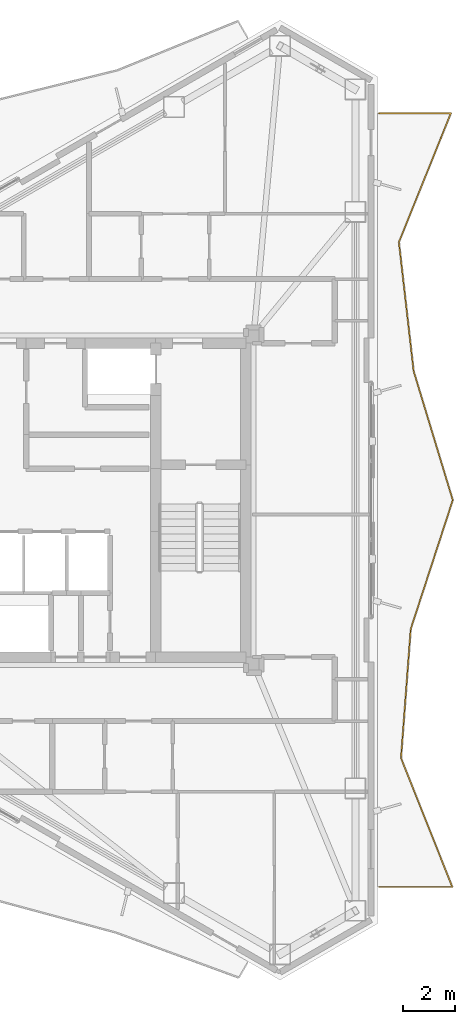
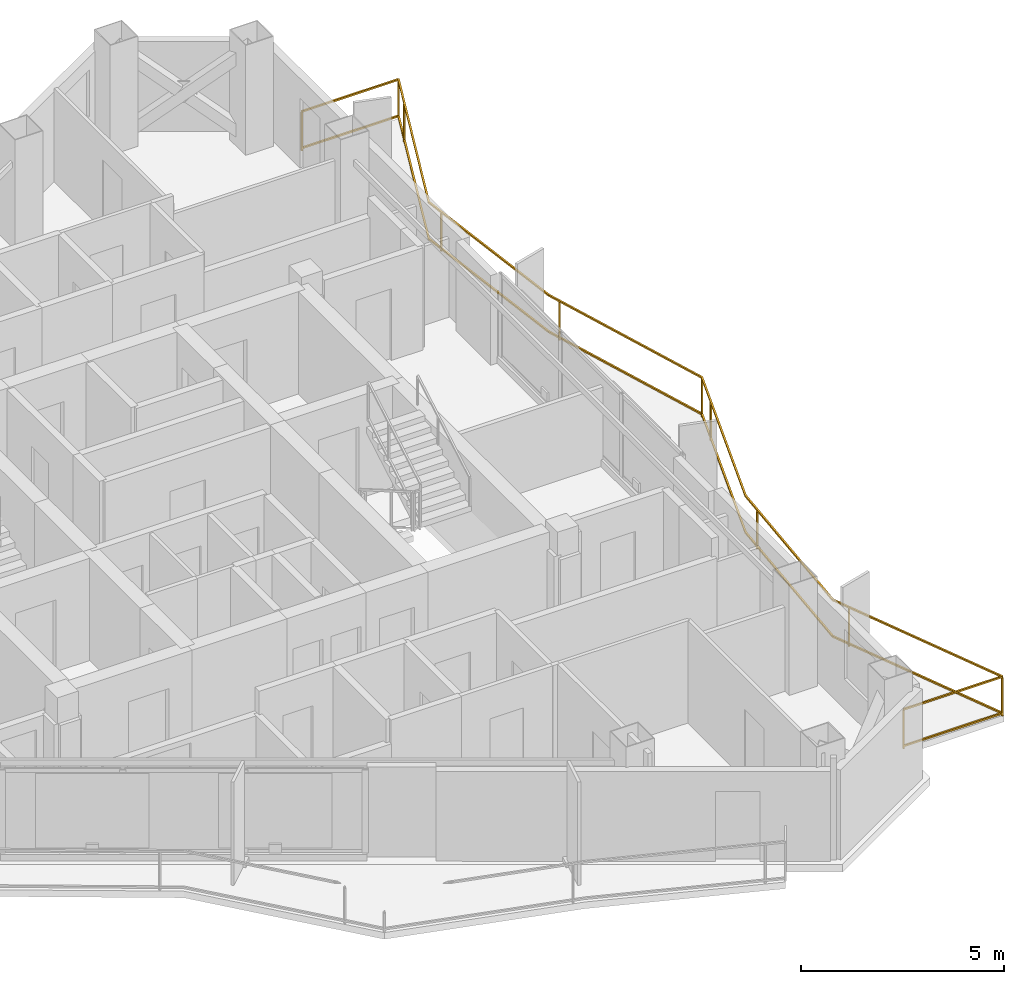
# One storey, part 22 of 22: 1 railing.
"""IFC4 building model written with IfcOpenShell, lengths in metres."""

import ifcopenshell
import ifcopenshell.guid

model = None  # the IFC model being written
_history = None  # IfcOwnerHistory: only IFC2X3 demands one
_inside = {}  # id of a spatial element -> (the spatial element, [elements in it])
_under = {}  # id of a project, library or spatial element -> (it, [spatial elements below it])
_declared = {}  # id of a project -> (the project, [libraries it declares])
_typed = {}  # id of a type object -> (the type object, [elements of that type])
_made_of = {}  # id of a material, layer set ... -> (it, [elements and type objects made of it])


def new_model(schema):
    """Start an empty IFC model of exactly this schema.

    Asked for "IFC4X3", IfcOpenShell would pick the latest addendum, in which some entities
    have other attributes; the version numbers below select the first issue.
    IFC2X3 requires an IfcOwnerHistory on every rooted entity: one is made here for all.
    """
    global model, _history
    if schema == "IFC4X3":
        model = ifcopenshell.file(schema_version=(4, 3, 0, 0))
    else:
        model = ifcopenshell.file(schema=schema)
    _inside.clear()
    _under.clear()
    _declared.clear()
    _typed.clear()
    _made_of.clear()
    _history = None
    if model.schema == "IFC2X3":
        org = make("IfcOrganization", Name="unknown")
        user = make(
            "IfcPersonAndOrganization",
            ThePerson=make("IfcPerson", FamilyName="unknown"),
            TheOrganization=org,
        )
        app = make(
            "IfcApplication",
            ApplicationDeveloper=org,
            Version="unknown",
            ApplicationFullName="unknown",
            ApplicationIdentifier="unknown",
        )
        _history = make(
            "IfcOwnerHistory",
            OwningUser=user,
            OwningApplication=app,
            ChangeAction="ADDED",
            CreationDate=0,
        )
    return model


def make(cls, **values):
    """One entity of the class cls with the attributes given. An attribute that is None is left unset."""
    return model.create_entity(
        cls, **{name: value for name, value in values.items() if value is not None}
    )


def rooted(cls, **values):
    """An entity with a GlobalId (a new one), such as an element, a storey or a relation."""
    return make(cls, GlobalId=ifcopenshell.guid.new(), OwnerHistory=_history, **values)


def si_unit(unit_type, name, prefix=None):
    """IfcSIUnit, for example si_unit("LENGTHUNIT", "METRE", prefix="MILLI")."""
    return make("IfcSIUnit", UnitType=unit_type, Prefix=prefix, Name=name)


def assignment(units):
    """IfcUnitAssignment: the units of a project."""
    return None if units is None else make("IfcUnitAssignment", Units=units)


def point(xyz):
    """IfcCartesianPoint."""
    return None if xyz is None else make("IfcCartesianPoint", Coordinates=xyz)


def direction(xyz):
    """IfcDirection."""
    return None if xyz is None else make("IfcDirection", DirectionRatios=xyz)


def frame(location, z_axis=None, x_axis=None):
    """IfcAxis2Placement3D, a coordinate frame: its origin and axes. An axis left out is left unset."""
    return make(
        "IfcAxis2Placement3D",
        Location=point(location),
        Axis=direction(z_axis),
        RefDirection=direction(x_axis),
    )


def frame_2d(location, x_axis=None):
    """IfcAxis2Placement2D, a coordinate frame in the plane: its origin and x axis."""
    return make(
        "IfcAxis2Placement2D", Location=point(location), RefDirection=direction(x_axis)
    )


def origin():
    """The frame at (0, 0, 0) with its axes left unset."""
    return frame((0.0, 0.0, 0.0))


def origin_2d():
    """The frame at (0, 0) in the plane with its x axis left unset."""
    return frame_2d((0.0, 0.0))


def place(relative_to, where):
    """IfcLocalPlacement: puts the frame where relative to a parent placement (None: the world)."""
    return make(
        "IfcLocalPlacement", PlacementRelTo=relative_to, RelativePlacement=where
    )


def context(
    kind, dimensions, precision=None, world=None, true_north=None, identifier=None
):
    """IfcGeometricRepresentationContext, for example the 3D "Model" context."""
    return make(
        "IfcGeometricRepresentationContext",
        ContextIdentifier=identifier,
        ContextType=kind,
        CoordinateSpaceDimension=dimensions,
        Precision=precision,
        WorldCoordinateSystem=world,
        TrueNorth=true_north,
    )


def subcontext(parent, identifier, kind, view, scale=None):
    """IfcGeometricRepresentationSubContext, for example "Body" below "Model"."""
    return make(
        "IfcGeometricRepresentationSubContext",
        ContextIdentifier=identifier,
        ContextType=kind,
        ParentContext=parent,
        TargetScale=scale,
        TargetView=view,
    )


def project(units=None, contexts=None):
    """IfcProject with its units and contexts."""
    return rooted(
        "IfcProject",
        Name="project",
        RepresentationContexts=contexts,
        UnitsInContext=assignment(units),
    )


def spatial(cls, under=None, at=None, **own):
    """A site, building, storey or space (cls), placed at a placement, below another one or the project."""
    s = rooted(cls, ObjectPlacement=at, **own)
    if under is not None:
        _under.setdefault(under.id(), (under, []))[1].append(s)
    return s


def profile(cls, at=None, kind="AREA", **sizes):
    """A parametric profile (cls). Its sizes go by their IFC names, for example OverallWidth=200.0."""
    return make(cls, ProfileType=kind, Position=at, **sizes)


def rectangle(**sizes):
    """IfcRectangleProfileDef."""
    return profile("IfcRectangleProfileDef", **sizes)


def extrude(swept, where, along, depth):
    """IfcExtrudedAreaSolid: the profile swept, set in the frame where, extruded along a direction by depth."""
    return make(
        "IfcExtrudedAreaSolid",
        SweptArea=swept,
        Position=where,
        ExtrudedDirection=direction(along),
        Depth=depth,
    )


def shape(context_of_items, identifier, shape_type, items):
    """IfcShapeRepresentation: the items that make up one representation, for example the "Body"."""
    return make(
        "IfcShapeRepresentation",
        ContextOfItems=context_of_items,
        RepresentationIdentifier=identifier,
        RepresentationType=shape_type,
        Items=items,
    )


def material(Name=None, Category=None):
    """IfcMaterial."""
    return make("IfcMaterial", Name=Name, Category=Category)


def made_of(thing, what):
    """Note that an element or type object is made of a material, layer set ...; save() writes the relation."""
    if what is not None:
        _made_of.setdefault(what.id(), (what, []))[1].append(thing)
    return thing


def type_object(cls, material=None, **own):
    """A type object (cls), such as IfcWallType, which elements share."""
    return made_of(rooted(cls, **own), material)


def element(
    cls,
    number,
    at=None,
    inside=None,
    cuts=None,
    type_object=None,
    material=None,
    context=None,
    identifier="Body",
    shape_type=None,
    held_by="IfcProductDefinitionShape",
    body=None,
    shapes=None,
    **own,
):
    """One element of the class cls, such as IfcWall. Its Tag is "e" and its number.

    at: its placement. inside: the storey or other place that contains it. cuts: it is an
    opening in that element (IfcRelVoidsElement). A single representation is given by context,
    identifier, shape_type and body (its items); several are given by shapes. held_by: the class
    of the entity that holds the representations. save() writes the other relations.
    """
    e = rooted(cls, Tag="e%d" % number, ObjectPlacement=at, **own)
    if body is not None:
        shapes = [shape(context, identifier, shape_type, body)]
    if shapes is not None:
        e.Representation = make(held_by, Representations=shapes)
    if inside is not None:
        _inside.setdefault(inside.id(), (inside, []))[1].append(e)
    if cuts is not None:
        rooted(
            "IfcRelVoidsElement", RelatingBuildingElement=cuts, RelatedOpeningElement=e
        )
    if type_object is not None:
        _typed.setdefault(type_object.id(), (type_object, []))[1].append(e)
    return made_of(e, material)


def aggregate(whole, parts):
    """IfcRelAggregates: a whole, such as a stair, and the parts it consists of."""
    return rooted("IfcRelAggregates", RelatingObject=whole, RelatedObjects=parts)


def save(model, path):
    """Write the relations noted so far, then the file.

    IfcRelAggregates (storeys below a building ...), IfcRelContainedInSpatialStructure (elements
    in a storey), IfcRelDefinesByType, IfcRelAssociatesMaterial and IfcRelDeclares: one each for
    every whole, place, type object, material and project.
    """
    for whole, parts in _under.values():
        aggregate(whole, parts)
    for where, things in _inside.values():
        rooted(
            "IfcRelContainedInSpatialStructure",
            RelatedElements=things,
            RelatingStructure=where,
        )
    for kind, things in _typed.values():
        rooted("IfcRelDefinesByType", RelatedObjects=things, RelatingType=kind)
    for what, things in _made_of.values():
        rooted("IfcRelAssociatesMaterial", RelatedObjects=things, RelatingMaterial=what)
    for by, libraries in _declared.values():
        rooted("IfcRelDeclares", RelatingContext=by, RelatedDefinitions=libraries)
    model.write(path)


model = new_model("IFC4")

# Units and contexts
model_context = context("Model", 3, precision=1e-05, world=origin(), true_north=direction((0.0, 1.0)))
body_context = subcontext(model_context, "Body", "Model", "MODEL_VIEW")
ifc_project = project(units=[si_unit("LENGTHUNIT", "METRE"), si_unit("AREAUNIT", "SQUARE_METRE"), si_unit("VOLUMEUNIT", "CUBIC_METRE"), si_unit("PLANEANGLEUNIT", "RADIAN"), si_unit("MASSUNIT", "GRAM", prefix="KILO")], contexts=[model_context])

# Site, building, storey
site_placement = place(None, origin())
site = spatial("IfcSite", under=ifc_project, at=site_placement, CompositionType="ELEMENT")
building_placement = place(site_placement, origin())
building = spatial("IfcBuilding", under=site, at=building_placement, Name="Mersakhor Tower and Convention Hall", CompositionType="ELEMENT")
storey_placement = place(building_placement, frame((0.0, 0.0, 201.89990234375)))
storey = spatial("IfcBuildingStorey", under=building, at=storey_placement, Name="L56", CompositionType="ELEMENT", Elevation=201.89990234375)

# Railing
ifc_material = material(Name="Powder-coated galvanised steel and laminated glass balustrade", Category="steel")
railing_type = type_object("IfcRailingType", Name="RL-BAL-1200", PredefinedType="BALUSTRADE", material=ifc_material)
railing_placement = place(storey_placement, frame((40.888427734375, 11.957275390625, 0.0)))
element("IfcRailing", 1, at=railing_placement, inside=storey, type_object=railing_type, Name="L56 Sinusoidal Balcony Balustrade F2", PredefinedType="BALUSTRADE", context=body_context, shape_type="SweptSolid", body=[
    extrude(rectangle(XDim=0.048095703125, YDim=0.048095703125, at=origin_2d()), frame((0.0, 0.0, 1.17578125), z_axis=(1.0, 0.0, 0.0), x_axis=(0.0, 1.0, 0.0)), (0.0, 0.0, 1.0), 2.802490234375),
    extrude(rectangle(XDim=0.048095703125, YDim=0.048095703125, at=origin_2d()), frame((0.0, 0.0, 0.080078125), z_axis=(1.0, 0.0, 0.0), x_axis=(0.0, 1.0, 0.0)), (0.0, 0.0, 1.0), 2.802490234375),
    extrude(rectangle(XDim=0.048095703125, YDim=0.048095703125, at=origin_2d()), frame((2.802490234375, 0.0, 1.17578125), z_axis=(-0.36973236207, 0.929138299952, 0.0), x_axis=(-0.929138299952, -0.36973236207, 0.0)), (0.0, 0.0, 1.0), 5.306884765625),
    extrude(rectangle(XDim=0.048095703125, YDim=0.048095703125, at=origin_2d()), frame((2.802490234375, 0.0, 0.080078125), z_axis=(-0.36973236207, 0.929138299952, 0.0), x_axis=(-0.929138299952, -0.36973236207, 0.0)), (0.0, 0.0, 1.0), 5.306884765625),
    extrude(rectangle(XDim=0.048095703125, YDim=0.048095703125, at=origin_2d()), frame((0.84033203125, 4.930908203125, 1.17578125), z_axis=(0.075193756436, 0.997168942052, 0.0), x_axis=(-0.997168942052, 0.075193756436, 0.0)), (0.0, 0.0, 1.0), 4.94482421875),
    extrude(rectangle(XDim=0.048095703125, YDim=0.048095703125, at=origin_2d()), frame((0.84033203125, 4.930908203125, 0.080078125), z_axis=(0.075193756436, 0.997168942052, 0.0), x_axis=(-0.997168942052, 0.075193756436, 0.0)), (0.0, 0.0, 1.0), 4.94482421875),
    extrude(rectangle(XDim=0.048095703125, YDim=0.048095703125, at=origin_2d()), frame((1.212158203125, 9.86181640625, 1.17578125), z_axis=(0.310021524798, 0.950729537861, 0.0), x_axis=(-0.950729537861, 0.310021524798, 0.0)), (0.0, 0.0, 1.0), 5.1865234375),
    extrude(rectangle(XDim=0.048095703125, YDim=0.048095703125, at=origin_2d()), frame((1.212158203125, 9.86181640625, 0.080078125), z_axis=(0.310021524798, 0.950729537861, 0.0), x_axis=(-0.950729537861, 0.310021524798, 0.0)), (0.0, 0.0, 1.0), 5.1865234375),
    extrude(rectangle(XDim=0.048095703125, YDim=0.048095703125, at=origin_2d()), frame((2.820068359375, 14.792724609375, 1.17578125), z_axis=(-0.290341384944, 0.956923131808, 0.0), x_axis=(-0.956923131808, -0.290341384944, 0.0)), (0.0, 0.0, 1.0), 5.15283203125),
    extrude(rectangle(XDim=0.048095703125, YDim=0.048095703125, at=origin_2d()), frame((2.820068359375, 14.792724609375, 0.080078125), z_axis=(-0.290341384944, 0.956923131808, 0.0), x_axis=(-0.956923131808, -0.290341384944, 0.0)), (0.0, 0.0, 1.0), 5.15283203125),
    extrude(rectangle(XDim=0.048095703125, YDim=0.048095703125, at=origin_2d()), frame((1.323974609375, 19.7236328125, 1.17578125), z_axis=(-0.113584049844, 0.993528390949, 0.0), x_axis=(-0.993528390949, -0.113584049844, 0.0)), (0.0, 0.0, 1.0), 4.963134765625),
    extrude(rectangle(XDim=0.048095703125, YDim=0.048095703125, at=origin_2d()), frame((1.323974609375, 19.7236328125, 0.080078125), z_axis=(-0.113584049844, 0.993528390949, 0.0), x_axis=(-0.993528390949, -0.113584049844, 0.0)), (0.0, 0.0, 1.0), 4.963134765625),
    extrude(rectangle(XDim=0.048095703125, YDim=0.048095703125, at=origin_2d()), frame((0.76025390625, 24.654541015625, 1.17578125), z_axis=(0.373851744481, 0.927488476019, 0.0), x_axis=(-0.927488476019, 0.373851744481, 0.0)), (0.0, 0.0, 1.0), 5.31640625),
    extrude(rectangle(XDim=0.048095703125, YDim=0.048095703125, at=origin_2d()), frame((0.76025390625, 24.654541015625, 0.080078125), z_axis=(0.373851744481, 0.927488476019, 0.0), x_axis=(-0.927488476019, 0.373851744481, 0.0)), (0.0, 0.0, 1.0), 5.31640625),
    extrude(rectangle(XDim=0.048095703125, YDim=0.048095703125, at=origin_2d()), frame((2.747802734375, 29.58544921875, 1.17578125), z_axis=(-1.0, 0.0, 0.0), x_axis=(0.0, -1.0, 0.0)), (0.0, 0.0, 1.0), 2.747802734375),
    extrude(rectangle(XDim=0.048095703125, YDim=0.048095703125, at=origin_2d()), frame((2.747802734375, 29.58544921875, 0.080078125), z_axis=(-1.0, 0.0, 0.0), x_axis=(0.0, -1.0, 0.0)), (0.0, 0.0, 1.0), 2.747802734375),
    extrude(rectangle(XDim=0.0419921875, YDim=0.0419921875, at=origin_2d()), origin(), (0.0, 0.0, 1.0), 1.15185546875),
    extrude(rectangle(XDim=0.0419921875, YDim=0.0419921875, at=origin_2d()), frame((2.802490234375, 0.0, 0.0)), (0.0, 0.0, 1.0), 1.15185546875),
    extrude(rectangle(XDim=0.0419921875, YDim=0.0419921875, at=origin_2d()), frame((1.02783203125, 4.4599609375, 0.0)), (0.0, 0.0, 1.0), 1.15185546875),
    extrude(rectangle(XDim=0.0419921875, YDim=0.0419921875, at=origin_2d()), frame((1.1630859375, 9.211669921875, 0.0)), (0.0, 0.0, 1.0), 1.15185546875),
    extrude(rectangle(XDim=0.0419921875, YDim=0.0419921875, at=origin_2d()), frame((2.498046875, 13.8056640625, 0.0)), (0.0, 0.0, 1.0), 1.15185546875),
    extrude(rectangle(XDim=0.0419921875, YDim=0.0419921875, at=origin_2d()), frame((2.820068359375, 14.792724609375, 0.0)), (0.0, 0.0, 1.0), 1.15185546875),
    extrude(rectangle(XDim=0.0419921875, YDim=0.0419921875, at=origin_2d()), frame((1.426513671875, 19.385986328125, 0.0)), (0.0, 0.0, 1.0), 1.15185546875),
    extrude(rectangle(XDim=0.0419921875, YDim=0.0419921875, at=origin_2d()), frame((0.81884765625, 24.14208984375, 0.0)), (0.0, 0.0, 1.0), 1.15185546875),
    extrude(rectangle(XDim=0.0419921875, YDim=0.0419921875, at=origin_2d()), frame((2.36181640625, 28.6279296875, 0.0)), (0.0, 0.0, 1.0), 1.15185546875),
    extrude(rectangle(XDim=0.0419921875, YDim=0.0419921875, at=origin_2d()), frame((2.747802734375, 29.58544921875, 0.0)), (0.0, 0.0, 1.0), 1.15185546875),
    extrude(rectangle(XDim=0.0419921875, YDim=0.0419921875, at=origin_2d()), frame((0.0, 29.58544921875, 0.0)), (0.0, 0.0, 1.0), 1.15185546875),
])

save(model, "model.ifc")
